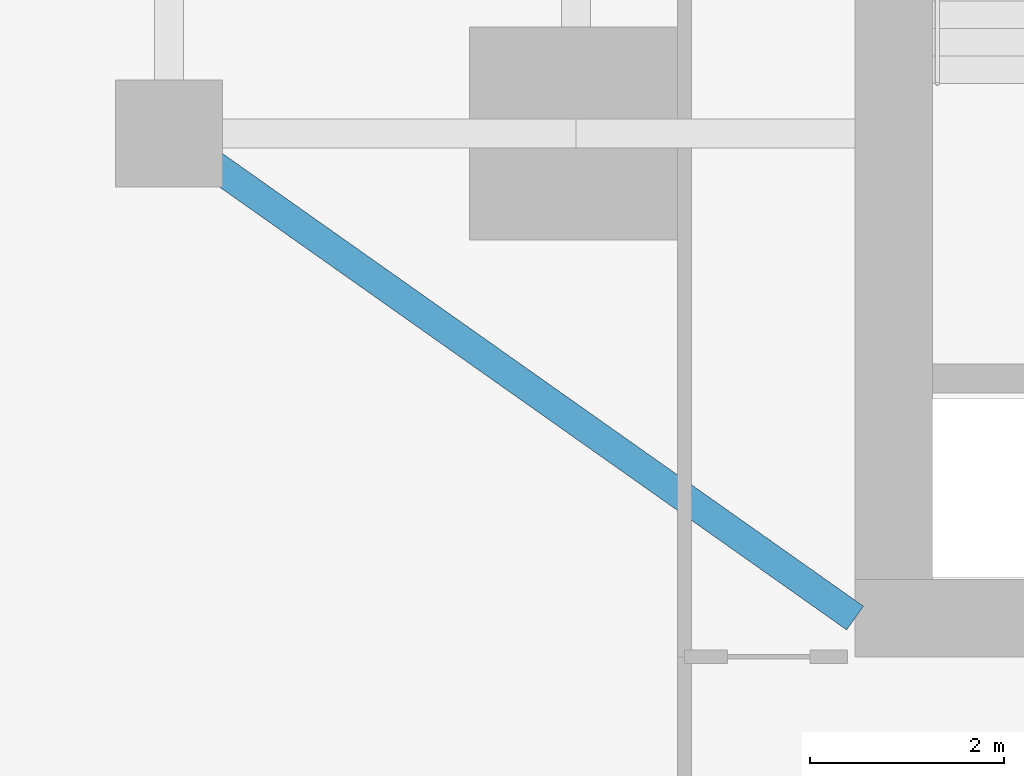
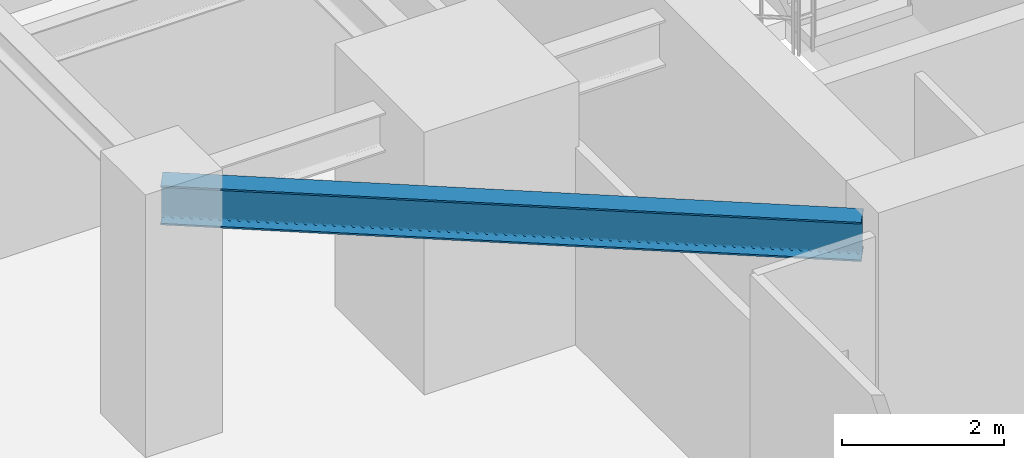
# One storey, part 5 of 29: 1 beam.
"""IFC4 building model written with IfcOpenShell, lengths in metres."""

from ifc_helpers import new_model, si_unit, direction, frame, origin, origin_2d, place, context, subcontext, project, spatial, i_section, extrude, source, transform, mapped, material, material_profile, profile_set, type_object, type_shapes, element, save


model = new_model("IFC4")

# Units and contexts
model_context = context("Model", 3, precision=1e-05, world=origin(), true_north=direction((0.0, 1.0)))
body_context = subcontext(model_context, "Body", "Model", "MODEL_VIEW")
ifc_project = project(units=[si_unit("LENGTHUNIT", "METRE"), si_unit("AREAUNIT", "SQUARE_METRE"), si_unit("VOLUMEUNIT", "CUBIC_METRE"), si_unit("PLANEANGLEUNIT", "RADIAN"), si_unit("MASSUNIT", "GRAM", prefix="KILO")], contexts=[model_context])

# Site, building, storey
site_placement = place(None, origin())
site = spatial("IfcSite", under=ifc_project, at=site_placement, CompositionType="ELEMENT")
building_placement = place(site_placement, origin())
building = spatial("IfcBuilding", under=site, at=building_placement, Name="Krantzveldt Concourse Tower", CompositionType="ELEMENT")
storey_placement = place(building_placement, frame((0.0, 0.0, 72.39990234375)))
storey = spatial("IfcBuildingStorey", under=building, at=storey_placement, Name="L17", CompositionType="ELEMENT", Elevation=72.39990234375)

# Beam
ifc_material = material(Name="Steel S355JR", Category="steel")
ifc_material_profile = material_profile(ifc_material, i_section(OverallWidth=0.300048828125, OverallDepth=0.590087890625, WebThickness=0.012939453125, FlangeThickness=0.02490234375, FilletRadius=0.027099609375, at=origin_2d()), Name="Steel S355JR", Category="steel")
ifc_profile_set = profile_set([ifc_material_profile], Name="Steel S355JR - HEA 600")
beam_type = type_object("IfcBeamType", Name="BM-B-HEA600", PredefinedType="BEAM", material=ifc_profile_set)
shared_shape = source(origin(), body_context, "Body", "SweptSolid", [
    extrude(i_section(OverallWidth=0.300048828125, OverallDepth=0.590087890625, WebThickness=0.012939453125, FlangeThickness=0.02490234375, FilletRadius=0.027099609375, at=origin_2d()), origin(), (0.0, 0.0, 1.0), 8.667724609375),
])
type_shapes(beam_type, [shared_shape])
beam_placement = place(storey_placement, frame((21.0, 15.89990234375, 3.375), z_axis=(0.81684294656, -0.576860122261, 0.0), x_axis=(0.576860122261, 0.81684294656, 0.0)))
element("IfcBeam", 1, at=beam_placement, inside=storey, type_object=beam_type, Name="L17 Tower Girder BR-CSW", PredefinedType="BEAM", context=body_context, shape_type="MappedRepresentation", body=[
    mapped(shared_shape, transform((0.0, 0.0, 0.0), x_axis=(1.0, 0.0, 0.0), y_axis=(0.0, 1.0, 0.0), z_axis=(0.0, 0.0, 1.0), scale=1.0)),
])

save(model, "model.ifc")
